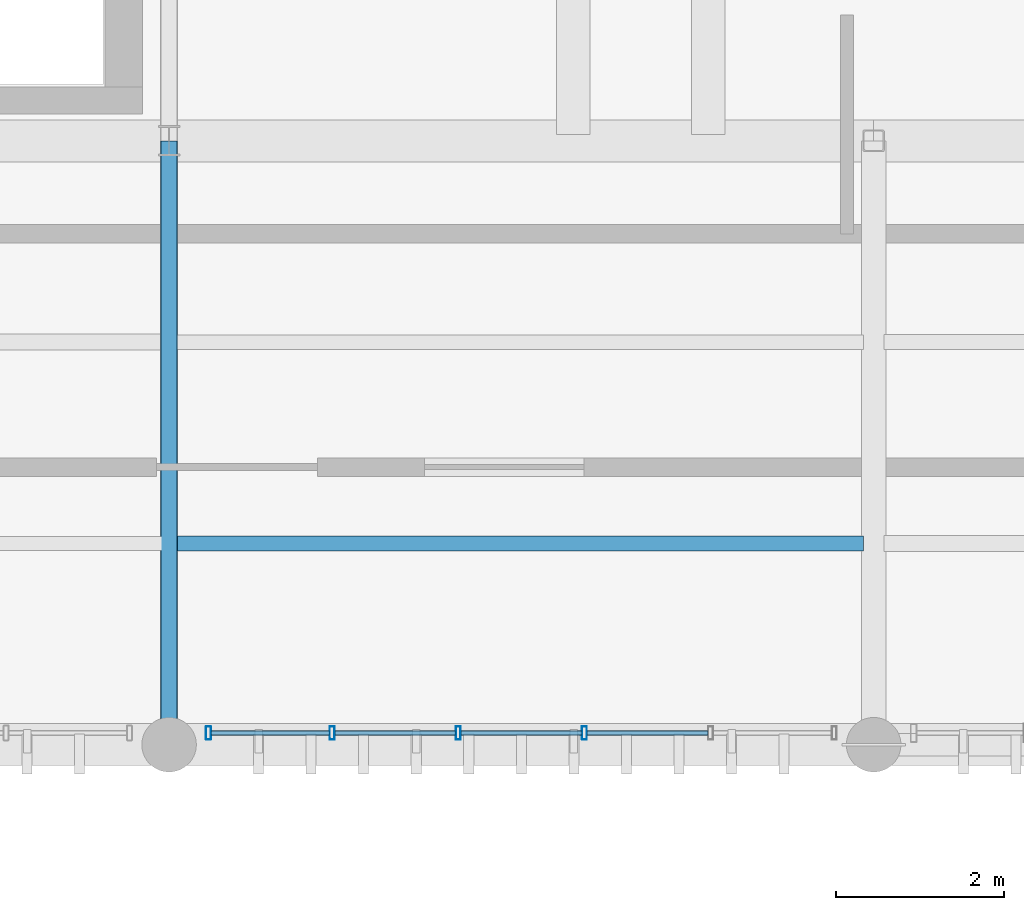
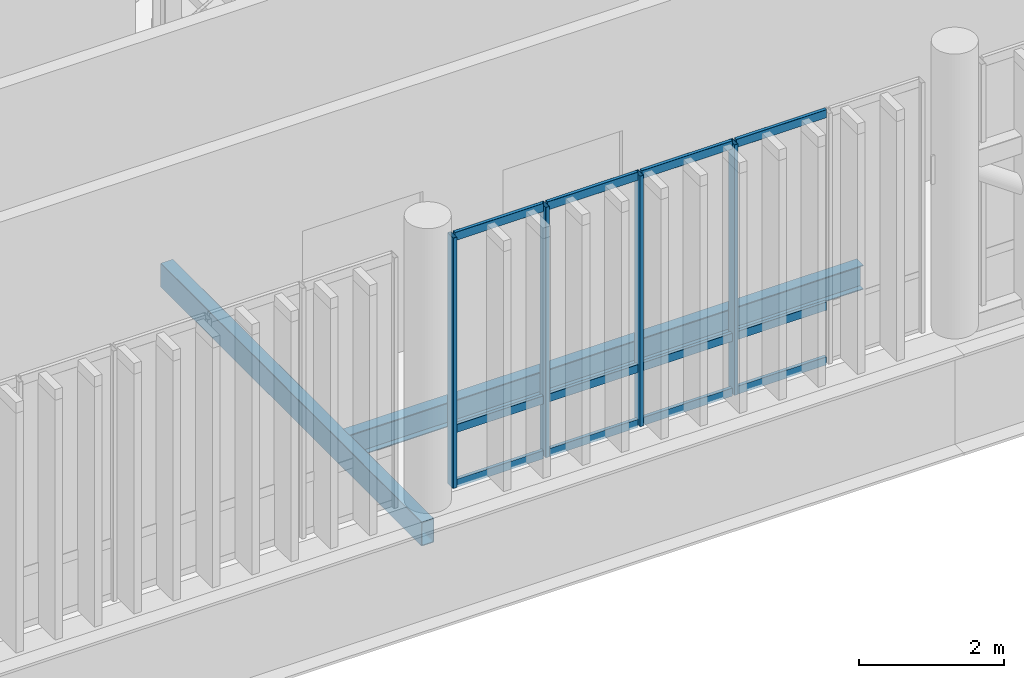
# One storey, part 32 of 86: 16 members, 2 beams, 1 element without a shape of its own.
"""IFC4 building model written with IfcOpenShell, lengths in metres."""

from ifc_helpers import new_model, si_unit, direction, frame, origin_with_axes, origin_2d_with_axis, place, context, subcontext, project, spatial, hollow_rectangle, i_section, extrude, material, material_profile, profile_set, type_object, element, aggregate, save


model = new_model("IFC4")

# Units and contexts
model_context = context("Model", 3, precision=1e-05, world=origin_with_axes(), true_north=direction((0.0, 1.0)))
body_context = subcontext(model_context, "Body", "Model", "MODEL_VIEW")
ifc_project = project(units=[si_unit("LENGTHUNIT", "METRE"), si_unit("AREAUNIT", "SQUARE_METRE"), si_unit("VOLUMEUNIT", "CUBIC_METRE"), si_unit("PLANEANGLEUNIT", "RADIAN"), si_unit("MASSUNIT", "GRAM", prefix="KILO"), si_unit("THERMODYNAMICTEMPERATUREUNIT", "KELVIN")], contexts=[model_context])

# Site, building, storey
site_placement = place(None, origin_with_axes())
site = spatial("IfcSite", under=ifc_project, at=site_placement, CompositionType="ELEMENT")
building_placement = place(site_placement, origin_with_axes())
building = spatial("IfcBuilding", under=site, at=building_placement, Name="Montbau Bow Law Courts", CompositionType="ELEMENT")
storey_placement = place(building_placement, frame((0.0, 0.0, 29.7), z_axis=(0.0, 0.0, 1.0), x_axis=(1.0, 0.0, 0.0)))
storey = spatial("IfcBuildingStorey", under=building, at=storey_placement, Name="L06", CompositionType="ELEMENT", Elevation=29.7)

# Beams
ifc_material_1 = material(Name="Steel CSA G40.21 Grade 350W (350 MPa)", Category="steel")
ifc_material_profile_1 = material_profile(ifc_material_1, i_section(OverallWidth=0.179, OverallDepth=0.41, WebThickness=0.0088, FlangeThickness=0.0144, at=origin_2d_with_axis()), Name="W410X67", Category="Main", Priority=0)
ifc_profile_set_1 = profile_set([ifc_material_profile_1], Name="Steel CSA G40.21 Grade 350W (350 MPa)")
beam_type_1 = type_object("IfcBeamType", Name="B-JST-02", PredefinedType="JOIST", material=ifc_profile_set_1)
beam_1_placement = place(None, frame((88.88, 41.4, 29.155), z_axis=(1.0, 0.0, 0.0), x_axis=(0.0, 1.0, 0.0)))
element("IfcBeam", 1, at=beam_1_placement, inside=storey, type_object=beam_type_1, Name="JST-L06-S0521:jst2_0521", PredefinedType="JOIST", context=body_context, shape_type="SweptSolid", body=[
    extrude(i_section(OverallWidth=0.179, OverallDepth=0.41, WebThickness=0.0088, FlangeThickness=0.0144, at=origin_2d_with_axis()), origin_with_axes(), (0.0, 0.0, 1.0), 8.198),
])
ifc_material_2 = material(Name="Steel CSA G40.21 Grade 350WT (350 MPa)", Category="steel")
ifc_material_profile_2 = material_profile(ifc_material_2, hollow_rectangle(XDim=0.203, YDim=0.406, WallThickness=0.0127, InnerFilletRadius=0.0254, OuterFilletRadius=0.0127, at=origin_2d_with_axis()), Name="HSS406X203X13", Category="Main", Priority=0)
ifc_profile_set_2 = profile_set([ifc_material_profile_2], Name="Steel CSA G40.21 Grade 350WT (350 MPa)")
beam_type_2 = type_object("IfcBeamType", Name="B-SPN-01", PredefinedType="SPANDREL", material=ifc_profile_set_2)
beam_2_placement = place(None, frame((88.8, 39.0, 29.157), z_axis=(0.0, 1.0, 0.0), x_axis=(-1.0, 0.0, 0.0)))
element("IfcBeam", 2, at=beam_2_placement, inside=storey, type_object=beam_type_2, Name="SPN-L06-S1012:bm2_1015", PredefinedType="SPANDREL", context=body_context, shape_type="SweptSolid", body=[
    extrude(hollow_rectangle(XDim=0.203, YDim=0.406, WallThickness=0.0127, InnerFilletRadius=0.0254, OuterFilletRadius=0.0127, at=origin_2d_with_axis()), origin_with_axes(), (0.0, 0.0, 1.0), 7.2),
])

# Curtain wall, members
ifc_material_3 = material(Name="Thermally Broken Extruded Aluminium AA 6063-T6", Category="aluminium")
curtain_wall_type = type_object("IfcCurtainWallType", Name="CW-CRM-02", PredefinedType="NOTDEFINED", material=ifc_material_3)
curtain_wall_placement = place(None, frame((89.24, 39.14, 29.7), z_axis=(0.0, 0.0, 1.0), x_axis=(1.0, 0.0, 0.0)))
curtain_wall = element("IfcCurtainWall", 3, at=curtain_wall_placement, inside=storey, type_object=curtain_wall_type, Name="CW-L06-227:cw_0227", PredefinedType="NOTDEFINED")
ifc_material_profile_3 = material_profile(ifc_material_3, hollow_rectangle(XDim=0.06, YDim=0.16, WallThickness=0.004, InnerFilletRadius=0.008, OuterFilletRadius=0.004, at=origin_2d_with_axis()), Name="CWM-160X60", Category="Main", Priority=0)
ifc_profile_set_3 = profile_set([ifc_material_profile_3], Name="Thermally Broken Extruded Aluminium AA 6063-T6")
member_type_1 = type_object("IfcMemberType", Name="M-MUL-03", PredefinedType="MULLION", material=ifc_profile_set_3)
member_1_placement = place(None, frame((89.27, 39.14, 29.7), z_axis=(0.0, 0.0, 1.0), x_axis=(1.0, 0.0, 0.0)))
member_1 = element("IfcMember", 4, at=member_1_placement, type_object=member_type_1, Name="CW-L06-227-M01:cw_0227_M01", PredefinedType="MULLION", context=body_context, shape_type="SweptSolid", body=[
    extrude(hollow_rectangle(XDim=0.06, YDim=0.16, WallThickness=0.004, InnerFilletRadius=0.008, OuterFilletRadius=0.004, at=origin_2d_with_axis()), origin_with_axes(), (0.0, 0.0, 1.0), 4.22),
])
member_2_placement = place(None, frame((90.744, 39.14, 29.7), z_axis=(0.0, 0.0, 1.0), x_axis=(1.0, 0.0, 0.0)))
member_2 = element("IfcMember", 5, at=member_2_placement, type_object=member_type_1, Name="CW-L06-227-M02:cw_0227_M02", PredefinedType="MULLION", context=body_context, shape_type="SweptSolid", body=[
    extrude(hollow_rectangle(XDim=0.06, YDim=0.16, WallThickness=0.004, InnerFilletRadius=0.008, OuterFilletRadius=0.004, at=origin_2d_with_axis()), origin_with_axes(), (0.0, 0.0, 1.0), 4.22),
])
member_3_placement = place(None, frame((92.248, 39.14, 29.7), z_axis=(0.0, 0.0, 1.0), x_axis=(1.0, 0.0, 0.0)))
member_3 = element("IfcMember", 6, at=member_3_placement, type_object=member_type_1, Name="CW-L06-227-M03:cw_0227_M03", PredefinedType="MULLION", context=body_context, shape_type="SweptSolid", body=[
    extrude(hollow_rectangle(XDim=0.06, YDim=0.16, WallThickness=0.004, InnerFilletRadius=0.008, OuterFilletRadius=0.004, at=origin_2d_with_axis()), origin_with_axes(), (0.0, 0.0, 1.0), 4.22),
])
member_4_placement = place(None, frame((93.752, 39.14, 29.7), z_axis=(0.0, 0.0, 1.0), x_axis=(1.0, 0.0, 0.0)))
member_4 = element("IfcMember", 7, at=member_4_placement, type_object=member_type_1, Name="CW-L06-227-M04:cw_0227_M04", PredefinedType="MULLION", context=body_context, shape_type="SweptSolid", body=[
    extrude(hollow_rectangle(XDim=0.06, YDim=0.16, WallThickness=0.004, InnerFilletRadius=0.008, OuterFilletRadius=0.004, at=origin_2d_with_axis()), origin_with_axes(), (0.0, 0.0, 1.0), 4.22),
])
ifc_material_profile_4 = material_profile(ifc_material_3, hollow_rectangle(XDim=0.055, YDim=0.14, WallThickness=0.004, InnerFilletRadius=0.008, OuterFilletRadius=0.004, at=origin_2d_with_axis()), Name="CWT-140X55", Category="Main", Priority=0)
ifc_profile_set_4 = profile_set([ifc_material_profile_4], Name="Thermally Broken Extruded Aluminium AA 6063-T6")
member_type_2 = type_object("IfcMemberType", Name="M-TRN-02", PredefinedType="USERDEFINED", material=ifc_profile_set_4)
member_5_placement = place(None, frame((89.302, 39.14, 29.727), z_axis=(1.0, 0.0, 0.0), x_axis=(0.0, 1.0, 0.0)))
member_5 = element("IfcMember", 8, at=member_5_placement, type_object=member_type_2, Name="CW-L06-227-T01-1:cw_0227_T01_1", ObjectType="TRANSOM", PredefinedType="USERDEFINED", context=body_context, shape_type="SweptSolid", body=[
    extrude(hollow_rectangle(XDim=0.055, YDim=0.14, WallThickness=0.004, InnerFilletRadius=0.008, OuterFilletRadius=0.004, at=origin_2d_with_axis()), origin_with_axes(), (0.0, 0.0, 1.0), 1.41),
])
member_6_placement = place(None, frame((89.302, 39.14, 30.65), z_axis=(1.0, 0.0, 0.0), x_axis=(0.0, 1.0, 0.0)))
member_6 = element("IfcMember", 9, at=member_6_placement, type_object=member_type_2, Name="CW-L06-227-T01-2:cw_0227_T01_2", ObjectType="TRANSOM", PredefinedType="USERDEFINED", context=body_context, shape_type="SweptSolid", body=[
    extrude(hollow_rectangle(XDim=0.055, YDim=0.14, WallThickness=0.004, InnerFilletRadius=0.008, OuterFilletRadius=0.004, at=origin_2d_with_axis()), origin_with_axes(), (0.0, 0.0, 1.0), 1.41),
])
member_7_placement = place(None, frame((89.302, 39.14, 33.892), z_axis=(1.0, 0.0, 0.0), x_axis=(0.0, 1.0, 0.0)))
member_7 = element("IfcMember", 10, at=member_7_placement, type_object=member_type_2, Name="CW-L06-227-T01-3:cw_0227_T01_3", ObjectType="TRANSOM", PredefinedType="USERDEFINED", context=body_context, shape_type="SweptSolid", body=[
    extrude(hollow_rectangle(XDim=0.055, YDim=0.14, WallThickness=0.004, InnerFilletRadius=0.008, OuterFilletRadius=0.004, at=origin_2d_with_axis()), origin_with_axes(), (0.0, 0.0, 1.0), 1.41),
])
member_8_placement = place(None, frame((90.776, 39.14, 29.727), z_axis=(1.0, 0.0, 0.0), x_axis=(0.0, 1.0, 0.0)))
member_8 = element("IfcMember", 11, at=member_8_placement, type_object=member_type_2, Name="CW-L06-227-T02-1:cw_0227_T02_1", ObjectType="TRANSOM", PredefinedType="USERDEFINED", context=body_context, shape_type="SweptSolid", body=[
    extrude(hollow_rectangle(XDim=0.055, YDim=0.14, WallThickness=0.004, InnerFilletRadius=0.008, OuterFilletRadius=0.004, at=origin_2d_with_axis()), origin_with_axes(), (0.0, 0.0, 1.0), 1.44),
])
member_9_placement = place(None, frame((90.776, 39.14, 30.65), z_axis=(1.0, 0.0, 0.0), x_axis=(0.0, 1.0, 0.0)))
member_9 = element("IfcMember", 12, at=member_9_placement, type_object=member_type_2, Name="CW-L06-227-T02-2:cw_0227_T02_2", ObjectType="TRANSOM", PredefinedType="USERDEFINED", context=body_context, shape_type="SweptSolid", body=[
    extrude(hollow_rectangle(XDim=0.055, YDim=0.14, WallThickness=0.004, InnerFilletRadius=0.008, OuterFilletRadius=0.004, at=origin_2d_with_axis()), origin_with_axes(), (0.0, 0.0, 1.0), 1.44),
])
member_10_placement = place(None, frame((90.776, 39.14, 33.892), z_axis=(1.0, 0.0, 0.0), x_axis=(0.0, 1.0, 0.0)))
member_10 = element("IfcMember", 13, at=member_10_placement, type_object=member_type_2, Name="CW-L06-227-T02-3:cw_0227_T02_3", ObjectType="TRANSOM", PredefinedType="USERDEFINED", context=body_context, shape_type="SweptSolid", body=[
    extrude(hollow_rectangle(XDim=0.055, YDim=0.14, WallThickness=0.004, InnerFilletRadius=0.008, OuterFilletRadius=0.004, at=origin_2d_with_axis()), origin_with_axes(), (0.0, 0.0, 1.0), 1.44),
])
member_11_placement = place(None, frame((92.28, 39.14, 29.727), z_axis=(1.0, 0.0, 0.0), x_axis=(0.0, 1.0, 0.0)))
member_11 = element("IfcMember", 14, at=member_11_placement, type_object=member_type_2, Name="CW-L06-227-T03-1:cw_0227_T03_1", ObjectType="TRANSOM", PredefinedType="USERDEFINED", context=body_context, shape_type="SweptSolid", body=[
    extrude(hollow_rectangle(XDim=0.055, YDim=0.14, WallThickness=0.004, InnerFilletRadius=0.008, OuterFilletRadius=0.004, at=origin_2d_with_axis()), origin_with_axes(), (0.0, 0.0, 1.0), 1.44),
])
member_12_placement = place(None, frame((92.28, 39.14, 30.65), z_axis=(1.0, 0.0, 0.0), x_axis=(0.0, 1.0, 0.0)))
member_12 = element("IfcMember", 15, at=member_12_placement, type_object=member_type_2, Name="CW-L06-227-T03-2:cw_0227_T03_2", ObjectType="TRANSOM", PredefinedType="USERDEFINED", context=body_context, shape_type="SweptSolid", body=[
    extrude(hollow_rectangle(XDim=0.055, YDim=0.14, WallThickness=0.004, InnerFilletRadius=0.008, OuterFilletRadius=0.004, at=origin_2d_with_axis()), origin_with_axes(), (0.0, 0.0, 1.0), 1.44),
])
member_13_placement = place(None, frame((92.28, 39.14, 33.892), z_axis=(1.0, 0.0, 0.0), x_axis=(0.0, 1.0, 0.0)))
member_13 = element("IfcMember", 16, at=member_13_placement, type_object=member_type_2, Name="CW-L06-227-T03-3:cw_0227_T03_3", ObjectType="TRANSOM", PredefinedType="USERDEFINED", context=body_context, shape_type="SweptSolid", body=[
    extrude(hollow_rectangle(XDim=0.055, YDim=0.14, WallThickness=0.004, InnerFilletRadius=0.008, OuterFilletRadius=0.004, at=origin_2d_with_axis()), origin_with_axes(), (0.0, 0.0, 1.0), 1.44),
])
member_14_placement = place(None, frame((93.784, 39.14, 29.727), z_axis=(1.0, 0.0, 0.0), x_axis=(0.0, 1.0, 0.0)))
member_14 = element("IfcMember", 17, at=member_14_placement, type_object=member_type_2, Name="CW-L06-227-T04-1:cw_0227_T04_1", ObjectType="TRANSOM", PredefinedType="USERDEFINED", context=body_context, shape_type="SweptSolid", body=[
    extrude(hollow_rectangle(XDim=0.055, YDim=0.14, WallThickness=0.004, InnerFilletRadius=0.008, OuterFilletRadius=0.004, at=origin_2d_with_axis()), origin_with_axes(), (0.0, 0.0, 1.0), 1.44),
])
member_15_placement = place(None, frame((93.784, 39.14, 30.65), z_axis=(1.0, 0.0, 0.0), x_axis=(0.0, 1.0, 0.0)))
member_15 = element("IfcMember", 18, at=member_15_placement, type_object=member_type_2, Name="CW-L06-227-T04-2:cw_0227_T04_2", ObjectType="TRANSOM", PredefinedType="USERDEFINED", context=body_context, shape_type="SweptSolid", body=[
    extrude(hollow_rectangle(XDim=0.055, YDim=0.14, WallThickness=0.004, InnerFilletRadius=0.008, OuterFilletRadius=0.004, at=origin_2d_with_axis()), origin_with_axes(), (0.0, 0.0, 1.0), 1.44),
])
member_16_placement = place(None, frame((93.784, 39.14, 33.892), z_axis=(1.0, 0.0, 0.0), x_axis=(0.0, 1.0, 0.0)))
member_16 = element("IfcMember", 19, at=member_16_placement, type_object=member_type_2, Name="CW-L06-227-T04-3:cw_0227_T04_3", ObjectType="TRANSOM", PredefinedType="USERDEFINED", context=body_context, shape_type="SweptSolid", body=[
    extrude(hollow_rectangle(XDim=0.055, YDim=0.14, WallThickness=0.004, InnerFilletRadius=0.008, OuterFilletRadius=0.004, at=origin_2d_with_axis()), origin_with_axes(), (0.0, 0.0, 1.0), 1.44),
])
aggregate(curtain_wall, [member_1, member_2, member_3, member_4, member_5, member_6, member_7, member_8, member_9, member_10, member_11, member_12, member_13, member_14, member_15, member_16])

save(model, "model.ifc")
